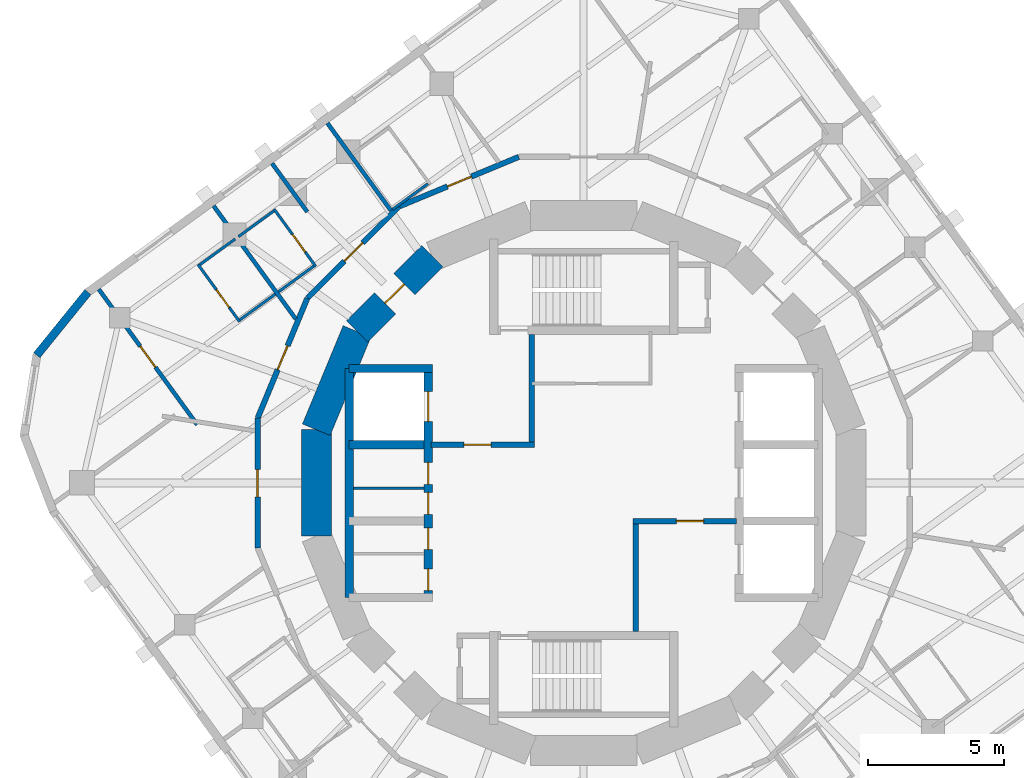
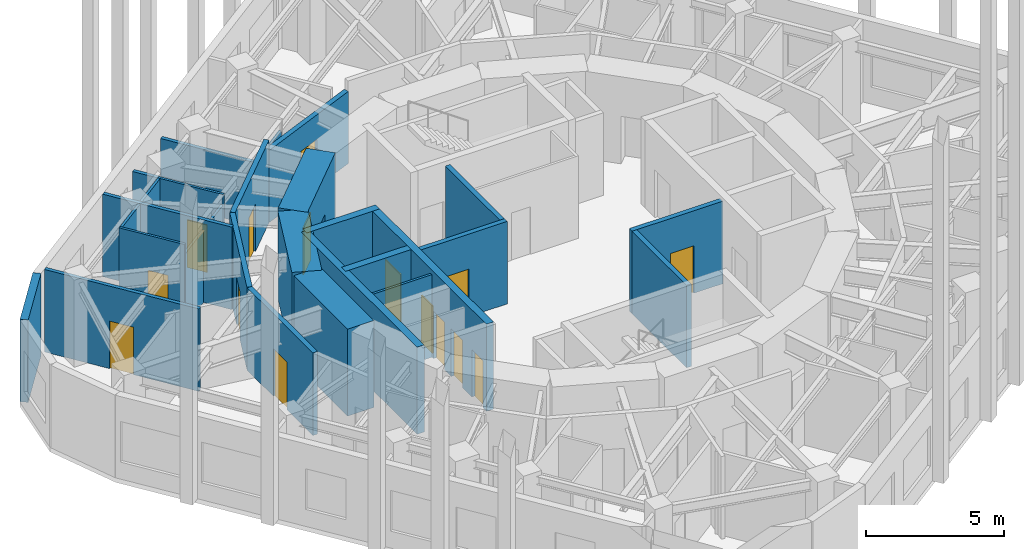
# One storey, part 5 of 9: 28 walls, 15 doors, 15 openings.
"""IFC4 building model written with IfcOpenShell, lengths in metres."""

import ifcopenshell
import ifcopenshell.guid

model = None  # the IFC model being written
_history = None  # IfcOwnerHistory: only IFC2X3 demands one
_inside = {}  # id of a spatial element -> (the spatial element, [elements in it])
_under = {}  # id of a project, library or spatial element -> (it, [spatial elements below it])
_declared = {}  # id of a project -> (the project, [libraries it declares])
_typed = {}  # id of a type object -> (the type object, [elements of that type])
_made_of = {}  # id of a material, layer set ... -> (it, [elements and type objects made of it])


def new_model(schema):
    """Start an empty IFC model of exactly this schema.

    Asked for "IFC4X3", IfcOpenShell would pick the latest addendum, in which some entities
    have other attributes; the version numbers below select the first issue.
    IFC2X3 requires an IfcOwnerHistory on every rooted entity: one is made here for all.
    """
    global model, _history
    if schema == "IFC4X3":
        model = ifcopenshell.file(schema_version=(4, 3, 0, 0))
    else:
        model = ifcopenshell.file(schema=schema)
    _inside.clear()
    _under.clear()
    _declared.clear()
    _typed.clear()
    _made_of.clear()
    _history = None
    if model.schema == "IFC2X3":
        org = make("IfcOrganization", Name="unknown")
        user = make(
            "IfcPersonAndOrganization",
            ThePerson=make("IfcPerson", FamilyName="unknown"),
            TheOrganization=org,
        )
        app = make(
            "IfcApplication",
            ApplicationDeveloper=org,
            Version="unknown",
            ApplicationFullName="unknown",
            ApplicationIdentifier="unknown",
        )
        _history = make(
            "IfcOwnerHistory",
            OwningUser=user,
            OwningApplication=app,
            ChangeAction="ADDED",
            CreationDate=0,
        )
    return model


def make(cls, **values):
    """One entity of the class cls with the attributes given. An attribute that is None is left unset."""
    return model.create_entity(
        cls, **{name: value for name, value in values.items() if value is not None}
    )


def rooted(cls, **values):
    """An entity with a GlobalId (a new one), such as an element, a storey or a relation."""
    return make(cls, GlobalId=ifcopenshell.guid.new(), OwnerHistory=_history, **values)


def si_unit(unit_type, name, prefix=None):
    """IfcSIUnit, for example si_unit("LENGTHUNIT", "METRE", prefix="MILLI")."""
    return make("IfcSIUnit", UnitType=unit_type, Prefix=prefix, Name=name)


def assignment(units):
    """IfcUnitAssignment: the units of a project."""
    return None if units is None else make("IfcUnitAssignment", Units=units)


def point(xyz):
    """IfcCartesianPoint."""
    return None if xyz is None else make("IfcCartesianPoint", Coordinates=xyz)


def direction(xyz):
    """IfcDirection."""
    return None if xyz is None else make("IfcDirection", DirectionRatios=xyz)


def frame(location, z_axis=None, x_axis=None):
    """IfcAxis2Placement3D, a coordinate frame: its origin and axes. An axis left out is left unset."""
    return make(
        "IfcAxis2Placement3D",
        Location=point(location),
        Axis=direction(z_axis),
        RefDirection=direction(x_axis),
    )


def frame_2d(location, x_axis=None):
    """IfcAxis2Placement2D, a coordinate frame in the plane: its origin and x axis."""
    return make(
        "IfcAxis2Placement2D", Location=point(location), RefDirection=direction(x_axis)
    )


def origin():
    """The frame at (0, 0, 0) with its axes left unset."""
    return frame((0.0, 0.0, 0.0))


def place(relative_to, where):
    """IfcLocalPlacement: puts the frame where relative to a parent placement (None: the world)."""
    return make(
        "IfcLocalPlacement", PlacementRelTo=relative_to, RelativePlacement=where
    )


def context(
    kind, dimensions, precision=None, world=None, true_north=None, identifier=None
):
    """IfcGeometricRepresentationContext, for example the 3D "Model" context."""
    return make(
        "IfcGeometricRepresentationContext",
        ContextIdentifier=identifier,
        ContextType=kind,
        CoordinateSpaceDimension=dimensions,
        Precision=precision,
        WorldCoordinateSystem=world,
        TrueNorth=true_north,
    )


def subcontext(parent, identifier, kind, view, scale=None):
    """IfcGeometricRepresentationSubContext, for example "Body" below "Model"."""
    return make(
        "IfcGeometricRepresentationSubContext",
        ContextIdentifier=identifier,
        ContextType=kind,
        ParentContext=parent,
        TargetScale=scale,
        TargetView=view,
    )


def project(units=None, contexts=None):
    """IfcProject with its units and contexts."""
    return rooted(
        "IfcProject",
        Name="project",
        RepresentationContexts=contexts,
        UnitsInContext=assignment(units),
    )


def spatial(cls, under=None, at=None, **own):
    """A site, building, storey or space (cls), placed at a placement, below another one or the project."""
    s = rooted(cls, ObjectPlacement=at, **own)
    if under is not None:
        _under.setdefault(under.id(), (under, []))[1].append(s)
    return s


def profile(cls, at=None, kind="AREA", **sizes):
    """A parametric profile (cls). Its sizes go by their IFC names, for example OverallWidth=200.0."""
    return make(cls, ProfileType=kind, Position=at, **sizes)


def rectangle(**sizes):
    """IfcRectangleProfileDef."""
    return profile("IfcRectangleProfileDef", **sizes)


def extrude(swept, where, along, depth):
    """IfcExtrudedAreaSolid: the profile swept, set in the frame where, extruded along a direction by depth."""
    return make(
        "IfcExtrudedAreaSolid",
        SweptArea=swept,
        Position=where,
        ExtrudedDirection=direction(along),
        Depth=depth,
    )


def shape(context_of_items, identifier, shape_type, items):
    """IfcShapeRepresentation: the items that make up one representation, for example the "Body"."""
    return make(
        "IfcShapeRepresentation",
        ContextOfItems=context_of_items,
        RepresentationIdentifier=identifier,
        RepresentationType=shape_type,
        Items=items,
    )


def material(Name=None, Category=None):
    """IfcMaterial."""
    return make("IfcMaterial", Name=Name, Category=Category)


def layer(
    of_material, thickness, ventilated=None, Name=None, Category=None, Priority=None
):
    """IfcMaterialLayer: one layer of a wall or slab, of a material (None: an air gap)."""
    return make(
        "IfcMaterialLayer",
        Material=of_material,
        LayerThickness=thickness,
        IsVentilated=ventilated,
        Name=Name,
        Category=Category,
        Priority=Priority,
    )


def layer_set(layers, Name=None):
    """IfcMaterialLayerSet."""
    return make("IfcMaterialLayerSet", MaterialLayers=layers, LayerSetName=Name)


def made_of(thing, what):
    """Note that an element or type object is made of a material, layer set ...; save() writes the relation."""
    if what is not None:
        _made_of.setdefault(what.id(), (what, []))[1].append(thing)
    return thing


def type_object(cls, material=None, **own):
    """A type object (cls), such as IfcWallType, which elements share."""
    return made_of(rooted(cls, **own), material)


def element(
    cls,
    number,
    at=None,
    inside=None,
    cuts=None,
    type_object=None,
    material=None,
    context=None,
    identifier="Body",
    shape_type=None,
    held_by="IfcProductDefinitionShape",
    body=None,
    shapes=None,
    **own,
):
    """One element of the class cls, such as IfcWall. Its Tag is "e" and its number.

    at: its placement. inside: the storey or other place that contains it. cuts: it is an
    opening in that element (IfcRelVoidsElement). A single representation is given by context,
    identifier, shape_type and body (its items); several are given by shapes. held_by: the class
    of the entity that holds the representations. save() writes the other relations.
    """
    e = rooted(cls, Tag="e%d" % number, ObjectPlacement=at, **own)
    if body is not None:
        shapes = [shape(context, identifier, shape_type, body)]
    if shapes is not None:
        e.Representation = make(held_by, Representations=shapes)
    if inside is not None:
        _inside.setdefault(inside.id(), (inside, []))[1].append(e)
    if cuts is not None:
        rooted(
            "IfcRelVoidsElement", RelatingBuildingElement=cuts, RelatedOpeningElement=e
        )
    if type_object is not None:
        _typed.setdefault(type_object.id(), (type_object, []))[1].append(e)
    return made_of(e, material)


def fill(opening, filler):
    """IfcRelFillsElement: the door or window that sits in an opening."""
    return rooted(
        "IfcRelFillsElement",
        RelatingOpeningElement=opening,
        RelatedBuildingElement=filler,
    )


def aggregate(whole, parts):
    """IfcRelAggregates: a whole, such as a stair, and the parts it consists of."""
    return rooted("IfcRelAggregates", RelatingObject=whole, RelatedObjects=parts)


def save(model, path):
    """Write the relations noted so far, then the file.

    IfcRelAggregates (storeys below a building ...), IfcRelContainedInSpatialStructure (elements
    in a storey), IfcRelDefinesByType, IfcRelAssociatesMaterial and IfcRelDeclares: one each for
    every whole, place, type object, material and project.
    """
    for whole, parts in _under.values():
        aggregate(whole, parts)
    for where, things in _inside.values():
        rooted(
            "IfcRelContainedInSpatialStructure",
            RelatedElements=things,
            RelatingStructure=where,
        )
    for kind, things in _typed.values():
        rooted("IfcRelDefinesByType", RelatedObjects=things, RelatingType=kind)
    for what, things in _made_of.values():
        rooted("IfcRelAssociatesMaterial", RelatedObjects=things, RelatingMaterial=what)
    for by, libraries in _declared.values():
        rooted("IfcRelDeclares", RelatingContext=by, RelatedDefinitions=libraries)
    model.write(path)


model = new_model("IFC4")

# Units and contexts
model_context = context("Model", 3, precision=1e-05, world=origin(), true_north=direction((0.0, 1.0)))
body_context = subcontext(model_context, "Body", "Model", "MODEL_VIEW")
ifc_project = project(units=[si_unit("LENGTHUNIT", "METRE"), si_unit("AREAUNIT", "SQUARE_METRE"), si_unit("VOLUMEUNIT", "CUBIC_METRE"), si_unit("PLANEANGLEUNIT", "RADIAN"), si_unit("MASSUNIT", "GRAM", prefix="KILO")], contexts=[model_context])

# Site, building, storey
site_placement = place(None, origin())
site = spatial("IfcSite", under=ifc_project, at=site_placement, CompositionType="ELEMENT")
building_placement = place(site_placement, origin())
building = spatial("IfcBuilding", under=site, at=building_placement, Name="Nakasero Lantern House", CompositionType="ELEMENT")
storey_placement = place(building_placement, frame((0.0, 0.0, 263.75)))
storey = spatial("IfcBuildingStorey", under=building, at=storey_placement, Name="L64", CompositionType="ELEMENT", Elevation=263.75)

# Wall, openings, doors
ifc_material_1 = material(Name="Concrete C50/60", Category="concrete")
ifc_layer_1 = layer(ifc_material_1, 0.300048828125)
ifc_layer_set_1 = layer_set([ifc_layer_1], Name="Core inner wall 300")
wall_type_1 = type_object("IfcWallType", Name="Core inner wall 300", PredefinedType="SHEAR", material=ifc_layer_set_1)
wall_1_placement = place(storey_placement, frame((-5.699951171875, -4.199951171875, 0.0), z_axis=(0.0, 0.0, 1.0), x_axis=(0.0, 1.0, 0.0)))
wall_1 = element("IfcWall", 1, at=wall_1_placement, inside=storey, type_object=wall_type_1, Name="Core inner wall L64 LW", PredefinedType="SHEAR", context=body_context, shape_type="SweptSolid", body=[
    extrude(rectangle(XDim=8.39990234375, YDim=0.300048828125, at=frame_2d((4.199951171875, 0.0))), origin(), (0.0, 0.0, 1.0), 3.85009765625),
])
opening_1_placement = place(wall_1_placement, frame((0.25, 0.0, 0.0)))
opening_1 = element("IfcOpeningElement", 2, at=opening_1_placement, cuts=wall_1, Name="Opening D19", PredefinedType="OPENING", context=body_context, shape_type="SweptSolid", body=[
    extrude(rectangle(XDim=0.800048828125, YDim=2.10009765625, at=frame_2d((0.39990234375, 1.050048828125))), frame((0.0, 0.169921875, 0.0), z_axis=(0.0, -1.0, 0.0), x_axis=(1.0, 0.0, 0.0)), (0.0, 0.0, 1.0), 0.340087890625),
])
opening_2_placement = place(wall_1_placement, frame((1.75, 0.0, 0.0)))
opening_2 = element("IfcOpeningElement", 3, at=opening_2_placement, cuts=wall_1, Name="Opening D15", PredefinedType="OPENING", context=body_context, shape_type="SweptSolid", body=[
    extrude(rectangle(XDim=0.800048828125, YDim=2.10009765625, at=frame_2d((0.39990234375, 1.050048828125))), frame((0.0, 0.169921875, 0.0), z_axis=(0.0, -1.0, 0.0), x_axis=(1.0, 0.0, 0.0)), (0.0, 0.0, 1.0), 0.340087890625),
])
opening_3_placement = place(wall_1_placement, frame((3.050048828125, 0.0, 0.0)))
opening_3 = element("IfcOpeningElement", 4, at=opening_3_placement, cuts=wall_1, Name="Opening D15", PredefinedType="OPENING", context=body_context, shape_type="SweptSolid", body=[
    extrude(rectangle(XDim=0.800048828125, YDim=2.10009765625, at=frame_2d((0.39990234375, 1.050048828125))), frame((0.0, 0.169921875, 0.0), z_axis=(0.0, -1.0, 0.0), x_axis=(1.0, 0.0, 0.0)), (0.0, 0.0, 1.0), 0.340087890625),
])
opening_4_placement = place(wall_1_placement, frame((4.14990234375, 0.0, 0.0)))
opening_4 = element("IfcOpeningElement", 5, at=opening_4_placement, cuts=wall_1, Name="Opening D15", PredefinedType="OPENING", context=body_context, shape_type="SweptSolid", body=[
    extrude(rectangle(XDim=0.800048828125, YDim=2.10009765625, at=frame_2d((0.39990234375, 1.050048828125))), frame((0.0, 0.169921875, 0.0), z_axis=(0.0, -1.0, 0.0), x_axis=(1.0, 0.0, 0.0)), (0.0, 0.0, 1.0), 0.340087890625),
])
opening_5_placement = place(wall_1_placement, frame((6.449951171875, 0.0, 0.0)))
opening_5 = element("IfcOpeningElement", 6, at=opening_5_placement, cuts=wall_1, Name="Opening LD", PredefinedType="OPENING", context=body_context, shape_type="SweptSolid", body=[
    extrude(rectangle(XDim=1.10009765625, YDim=2.10009765625, at=frame_2d((0.550048828125, 1.050048828125))), frame((0.0, 0.169921875, 0.0), z_axis=(0.0, -1.0, 0.0), x_axis=(1.0, 0.0, 0.0)), (0.0, 0.0, 1.0), 0.340087890625),
])
ifc_material_2 = material(Name="Timber C24", Category="wood")
door_type_1 = type_object("IfcDoorType", Name="Cleaner's store door FD30S 800", OperationType="SINGLE_SWING_LEFT", PredefinedType="DOOR", material=ifc_material_2)
door_1_placement = place(opening_2_placement, origin())
door_1 = element("IfcDoor", 7, at=door_1_placement, inside=storey, type_object=door_type_1, Name="Door L64 D-SH-LW1b", OperationType="SINGLE_SWING_LEFT", OverallHeight=2.10009765625, OverallWidth=0.800048828125, PredefinedType="DOOR", context=body_context, shape_type="SweptSolid", body=[
    extrude(rectangle(XDim=0.800048828125, YDim=2.10009765625, at=frame_2d((0.39990234375, 1.050048828125))), frame((0.0, 0.02490234375, 0.0), z_axis=(0.0, -1.0, 0.0), x_axis=(1.0, 0.0, 0.0)), (0.0, 0.0, 1.0), 0.050048828125),
])
fill(opening_2, door_1)
door_2_placement = place(opening_3_placement, origin())
door_2 = element("IfcDoor", 8, at=door_2_placement, inside=storey, type_object=door_type_1, Name="Door L64 D-SH-LW2a", OperationType="SINGLE_SWING_LEFT", OverallHeight=2.10009765625, OverallWidth=0.800048828125, PredefinedType="DOOR", context=body_context, shape_type="SweptSolid", body=[
    extrude(rectangle(XDim=0.800048828125, YDim=2.10009765625, at=frame_2d((0.39990234375, 1.050048828125))), frame((0.0, 0.02490234375, 0.0), z_axis=(0.0, -1.0, 0.0), x_axis=(1.0, 0.0, 0.0)), (0.0, 0.0, 1.0), 0.050048828125),
])
fill(opening_3, door_2)
door_3_placement = place(opening_4_placement, origin())
door_3 = element("IfcDoor", 9, at=door_3_placement, inside=storey, type_object=door_type_1, Name="Door L64 D-SH-LW2b", OperationType="SINGLE_SWING_RIGHT", OverallHeight=2.10009765625, OverallWidth=0.800048828125, PredefinedType="DOOR", context=body_context, shape_type="SweptSolid", body=[
    extrude(rectangle(XDim=0.800048828125, YDim=2.10009765625, at=frame_2d((0.39990234375, 1.050048828125))), frame((0.0, 0.02490234375, 0.0), z_axis=(0.0, -1.0, 0.0), x_axis=(1.0, 0.0, 0.0)), (0.0, 0.0, 1.0), 0.050048828125),
])
fill(opening_4, door_3)
ifc_material_3 = material(Name="Steel S355", Category="steel")
door_type_2 = type_object("IfcDoorType", Name="Lift landing door E120 1100", OperationType="SLIDING_TO_LEFT", PredefinedType="DOOR", material=ifc_material_3)
door_4_placement = place(opening_5_placement, origin())
door_4 = element("IfcDoor", 10, at=door_4_placement, inside=storey, type_object=door_type_2, Name="Lift landing door LW3", OperationType="SLIDING_TO_LEFT", OverallHeight=2.10009765625, OverallWidth=1.10009765625, PredefinedType="DOOR", context=body_context, shape_type="SweptSolid", body=[
    extrude(rectangle(XDim=1.10009765625, YDim=2.10009765625, at=frame_2d((0.550048828125, 1.050048828125))), frame((0.0, 0.02490234375, 0.0), z_axis=(0.0, -1.0, 0.0), x_axis=(1.0, 0.0, 0.0)), (0.0, 0.0, 1.0), 0.050048828125),
])
fill(opening_5, door_4)
ifc_material_4 = material(Name="Steel S355", Category="steel")
door_type_3 = type_object("IfcDoorType", Name="Plant room door FD60 800", OperationType="SINGLE_SWING_LEFT", PredefinedType="DOOR", material=ifc_material_4)
door_5_placement = place(opening_1_placement, origin())
door_5 = element("IfcDoor", 11, at=door_5_placement, inside=storey, type_object=door_type_3, Name="Door L64 D-SH-LW1a", OperationType="SINGLE_SWING_LEFT", OverallHeight=2.10009765625, OverallWidth=0.800048828125, PredefinedType="DOOR", context=body_context, shape_type="SweptSolid", body=[
    extrude(rectangle(XDim=0.800048828125, YDim=2.10009765625, at=frame_2d((0.39990234375, 1.050048828125))), frame((0.0, 0.02490234375, 0.0), z_axis=(0.0, -1.0, 0.0), x_axis=(1.0, 0.0, 0.0)), (0.0, 0.0, 1.0), 0.050048828125),
])
fill(opening_1, door_5)

# Walls
wall_2_placement = place(storey_placement, frame((-8.60009765625, 4.199951171875, 0.0), z_axis=(0.0, 0.0, 1.0), x_axis=(1.0, 0.0, 0.0)))
element("IfcWall", 12, at=wall_2_placement, inside=storey, type_object=wall_type_1, Name="Core inner wall L64 LWN", PredefinedType="SHEAR", context=body_context, shape_type="SweptSolid", body=[
    extrude(rectangle(XDim=3.050048828125, YDim=0.300048828125, at=frame_2d((1.52490234375, 0.0))), origin(), (0.0, 0.0, 1.0), 3.85009765625),
])
wall_3_placement = place(storey_placement, frame((-8.60009765625, -4.199951171875, 0.0), z_axis=(0.0, 0.0, 1.0), x_axis=(0.0, 1.0, 0.0)))
element("IfcWall", 13, at=wall_3_placement, inside=storey, type_object=wall_type_1, Name="Core inner wall L64 LWB", PredefinedType="SHEAR", context=body_context, shape_type="SweptSolid", body=[
    extrude(rectangle(XDim=8.39990234375, YDim=0.300048828125, at=frame_2d((4.199951171875, 0.0))), origin(), (0.0, 0.0, 1.0), 3.85009765625),
])
wall_4_placement = place(storey_placement, frame((-8.60009765625, 1.39990234375, 0.0), z_axis=(0.0, 0.0, 1.0), x_axis=(1.0, 0.0, 0.0)))
element("IfcWall", 14, at=wall_4_placement, inside=storey, type_object=wall_type_1, Name="Core inner wall L64 LW2", PredefinedType="SHEAR", context=body_context, shape_type="SweptSolid", body=[
    extrude(rectangle(XDim=2.75, YDim=0.300048828125, at=frame_2d((1.375, 0.0))), origin(), (0.0, 0.0, 1.0), 3.85009765625),
])
ifc_material_5 = material(Name="Blockwork", Category="masonry")
ifc_layer_2 = layer(ifc_material_5, 0.10009765625)
ifc_layer_set_2 = layer_set([ifc_layer_2], Name="Core room wall 100")
wall_type_2 = type_object("IfcWallType", Name="Core room wall 100", PredefinedType="PARTITIONING", material=ifc_layer_set_2)
wall_5_placement = place(storey_placement, frame((-8.449951171875, -0.199951171875, 0.0), z_axis=(0.0, 0.0, 1.0), x_axis=(1.0, 0.0, 0.0)))
element("IfcWall", 15, at=wall_5_placement, inside=storey, type_object=wall_type_2, Name="Core room wall L64 CR-SH-LW2b", PredefinedType="PARTITIONING", context=body_context, shape_type="SweptSolid", body=[
    extrude(rectangle(XDim=2.599853515625, YDim=0.10009765625, at=frame_2d((1.2998046875, 0.0))), origin(), (0.0, 0.0, 1.0), 3.64990234375),
])

# Wall, opening, door
ifc_material_6 = material(Name="Concrete C50/60", Category="concrete")
ifc_layer_3 = layer(ifc_material_6, 1.10009765625)
ifc_layer_set_3 = layer_set([ifc_layer_3], Name="Core wall 1100")
wall_type_3 = type_object("IfcWallType", Name="Core wall 1100", PredefinedType="SHEAR", material=ifc_layer_set_3)
wall_6_placement = place(storey_placement, frame((-5.5556640625, 8.314697265625, 0.0), z_axis=(0.0, 0.0, 1.0), x_axis=(-0.707106781187, -0.707106781187, 0.0)))
wall_6 = element("IfcWall", 16, at=wall_6_placement, inside=storey, type_object=wall_type_3, Name="Core wall L64 facet 6", PredefinedType="SHEAR", context=body_context, shape_type="SweptSolid", body=[
    extrude(rectangle(XDim=3.90185546875, YDim=1.10009765625, at=frame_2d((1.950927734375, 0.0))), origin(), (0.0, 0.0, 1.0), 3.85009765625),
])
opening_6_placement = place(wall_6_placement, frame((1.450927734375, 0.0, 0.0)))
opening_6 = element("IfcOpeningElement", 17, at=opening_6_placement, cuts=wall_6, Name="Opening D05", PredefinedType="OPENING", context=body_context, shape_type="SweptSolid", body=[
    extrude(rectangle(XDim=1.0, YDim=2.10009765625, at=frame_2d((0.5, 1.050048828125))), frame((0.0, 0.570068359375, 0.0), z_axis=(0.0, -1.0, 0.0), x_axis=(1.0, 0.0, 0.0)), (0.0, 0.0, 1.0), 1.14013671875),
])
ifc_material_7 = material(Name="Timber C24", Category="wood")
door_type_4 = type_object("IfcDoorType", Name="Core door FD60S 1000", OperationType="SINGLE_SWING_LEFT", PredefinedType="DOOR", material=ifc_material_7)
door_6_placement = place(opening_6_placement, origin())
door_6 = element("IfcDoor", 18, at=door_6_placement, inside=storey, type_object=door_type_4, Name="Door L64 D-CORE06", OperationType="SINGLE_SWING_LEFT", OverallHeight=2.10009765625, OverallWidth=1.0, PredefinedType="DOOR", context=body_context, shape_type="SweptSolid", body=[
    extrude(rectangle(XDim=1.0, YDim=2.10009765625, at=frame_2d((0.5, 1.050048828125))), frame((0.0, 0.02490234375, 0.0), z_axis=(0.0, -1.0, 0.0), x_axis=(1.0, 0.0, 0.0)), (0.0, 0.0, 1.0), 0.050048828125),
])
fill(opening_6, door_6)

# Walls
for number, where, z_axis, x_axis, name in (
    (19, (-8.314697265625, 5.5556640625, 0.0), (0.0, 0.0, 1.0), (-0.382690736062, -0.923876507187, 0.0), "Core wall L64 facet 7"),
    (20, (-9.807861328125, 1.950927734375, 0.0), (0.0, 0.0, 1.0), (0.0, -1.0, 0.0), "Core wall L64 facet 8"),
):
    element("IfcWall", number, at=place(storey_placement, frame(where, z_axis=z_axis, x_axis=x_axis)), inside=storey, type_object=wall_type_3, Name=name, PredefinedType="SHEAR", context=body_context, shape_type="SweptSolid", body=[
        extrude(rectangle(XDim=3.90185546875, YDim=1.10009765625, at=frame_2d((1.950927734375, 0.0))), origin(), (0.0, 0.0, 1.0), 3.85009765625),
    ])

# Wall, opening, door
ifc_material_8 = material(Name="Blockwork", Category="masonry")
ifc_layer_4 = layer(ifc_material_8, 0.199951171875)
ifc_layer_set_4 = layer_set([ifc_layer_4], Name="Corridor wall 200")
wall_type_4 = type_object("IfcWallType", Name="Corridor wall 200", PredefinedType="PARTITIONING", material=ifc_layer_set_4)
wall_7_placement = place(storey_placement, frame((-11.957763671875, -2.378662109375, 0.0), z_axis=(0.0, 0.0, 1.0), x_axis=(0.0, 1.0, 0.0)))
wall_7 = element("IfcWall", 21, at=wall_7_placement, inside=storey, type_object=wall_type_4, Name="Corridor wall L64 RC08a", PredefinedType="PARTITIONING", context=body_context, shape_type="SweptSolid", body=[
    extrude(rectangle(XDim=4.75732421875, YDim=0.199951171875, at=frame_2d((2.378662109375, 0.0))), origin(), (0.0, 0.0, 1.0), 3.64990234375),
])
opening_7_placement = place(wall_7_placement, frame((1.8701171875, 0.0, 0.0)))
opening_7 = element("IfcOpeningElement", 22, at=opening_7_placement, cuts=wall_7, Name="Opening D03", PredefinedType="OPENING", context=body_context, shape_type="SweptSolid", body=[
    extrude(rectangle(XDim=1.0, YDim=2.10009765625, at=frame_2d((0.5, 1.050048828125))), frame((0.0, 0.119873046875, 0.0), z_axis=(0.0, -1.0, 0.0), x_axis=(1.0, 0.0, 0.0)), (0.0, 0.0, 1.0), 0.239990234375),
])
ifc_material_9 = material(Name="Timber C24", Category="wood")
door_type_5 = type_object("IfcDoorType", Name="Lounge door FD30S 1000", OperationType="SINGLE_SWING_LEFT", PredefinedType="DOOR", material=ifc_material_9)
door_7_placement = place(opening_7_placement, origin())
door_7 = element("IfcDoor", 23, at=door_7_placement, inside=storey, type_object=door_type_5, Name="Door L64 DK2", OperationType="SINGLE_SWING_LEFT", OverallHeight=2.10009765625, OverallWidth=1.0, PredefinedType="DOOR", context=body_context, shape_type="SweptSolid", body=[
    extrude(rectangle(XDim=1.0, YDim=2.10009765625, at=frame_2d((0.5, 1.050048828125))), frame((0.0, 0.02490234375, 0.0), z_axis=(0.0, -1.0, 0.0), x_axis=(1.0, 0.0, 0.0)), (0.0, 0.0, 1.0), 0.050048828125),
])
fill(opening_7, door_7)

wall_8_placement = place(storey_placement, frame((-11.957763671875, 2.378662109375, 0.0), z_axis=(0.0, 0.0, 1.0), x_axis=(0.382653970627, 0.923891735412, 0.0)))
wall_8 = element("IfcWall", 24, at=wall_8_placement, inside=storey, type_object=wall_type_4, Name="Corridor wall L64 RC09a", PredefinedType="PARTITIONING", context=body_context, shape_type="SweptSolid", body=[
    extrude(rectangle(XDim=4.757080078125, YDim=0.199951171875, at=frame_2d((2.37841796875, 0.0))), origin(), (0.0, 0.0, 1.0), 3.64990234375),
])
opening_8_placement = place(wall_8_placement, frame((1.919921875, 0.0, 0.0)))
opening_8 = element("IfcOpeningElement", 25, at=opening_8_placement, cuts=wall_8, Name="Opening D01", PredefinedType="OPENING", context=body_context, shape_type="SweptSolid", body=[
    extrude(rectangle(XDim=0.949951171875, YDim=2.10009765625, at=frame_2d((0.47509765625, 1.050048828125))), frame((0.0, 0.119873046875, 0.0), z_axis=(0.0, -1.0, 0.0), x_axis=(1.0, 0.0, 0.0)), (0.0, 0.0, 1.0), 0.239990234375),
])
ifc_material_10 = material(Name="Timber C24", Category="wood")
door_type_6 = type_object("IfcDoorType", Name="Bedroom door FD30S 950", OperationType="SINGLE_SWING_LEFT", PredefinedType="DOOR", material=ifc_material_10)
door_8_placement = place(opening_8_placement, origin())
door_8 = element("IfcDoor", 26, at=door_8_placement, inside=storey, type_object=door_type_6, Name="Door L64 D1-06", OperationType="SINGLE_SWING_RIGHT", OverallHeight=2.10009765625, OverallWidth=0.949951171875, PredefinedType="DOOR", context=body_context, shape_type="SweptSolid", body=[
    extrude(rectangle(XDim=0.949951171875, YDim=2.10009765625, at=frame_2d((0.47509765625, 1.050048828125))), frame((0.0, 0.02490234375, 0.0), z_axis=(0.0, -1.0, 0.0), x_axis=(1.0, 0.0, 0.0)), (0.0, 0.0, 1.0), 0.050048828125),
])
fill(opening_8, door_8)

wall_9_placement = place(storey_placement, frame((-10.137451171875, 6.773681640625, 0.0), z_axis=(0.0, 0.0, 1.0), x_axis=(0.707106781187, 0.707106781187, 0.0)))
wall_9 = element("IfcWall", 27, at=wall_9_placement, inside=storey, type_object=wall_type_4, Name="Corridor wall L64 RC10a", PredefinedType="PARTITIONING", context=body_context, shape_type="SweptSolid", body=[
    extrude(rectangle(XDim=4.757080078125, YDim=0.199951171875, at=frame_2d((2.37841796875, 0.0))), origin(), (0.0, 0.0, 1.0), 3.64990234375),
])
opening_9_placement = place(wall_9_placement, frame((1.919921875, 0.0, 0.0)))
opening_9 = element("IfcOpeningElement", 28, at=opening_9_placement, cuts=wall_9, Name="Opening D01", PredefinedType="OPENING", context=body_context, shape_type="SweptSolid", body=[
    extrude(rectangle(XDim=0.949951171875, YDim=2.10009765625, at=frame_2d((0.47509765625, 1.050048828125))), frame((0.0, 0.119873046875, 0.0), z_axis=(0.0, -1.0, 0.0), x_axis=(1.0, 0.0, 0.0)), (0.0, 0.0, 1.0), 0.239990234375),
])
door_9_placement = place(opening_9_placement, origin())
door_9 = element("IfcDoor", 29, at=door_9_placement, inside=storey, type_object=door_type_6, Name="Door L64 D1-04", OperationType="SINGLE_SWING_RIGHT", OverallHeight=2.10009765625, OverallWidth=0.949951171875, PredefinedType="DOOR", context=body_context, shape_type="SweptSolid", body=[
    extrude(rectangle(XDim=0.949951171875, YDim=2.10009765625, at=frame_2d((0.47509765625, 1.050048828125))), frame((0.0, 0.02490234375, 0.0), z_axis=(0.0, -1.0, 0.0), x_axis=(1.0, 0.0, 0.0)), (0.0, 0.0, 1.0), 0.050048828125),
])
fill(opening_9, door_9)

wall_10_placement = place(storey_placement, frame((-6.773681640625, 10.137451171875, 0.0), z_axis=(0.0, 0.0, 1.0), x_axis=(0.923891735412, 0.382653970627, 0.0)))
wall_10 = element("IfcWall", 30, at=wall_10_placement, inside=storey, type_object=wall_type_4, Name="Corridor wall L64 RC11a", PredefinedType="PARTITIONING", context=body_context, shape_type="SweptSolid", body=[
    extrude(rectangle(XDim=4.757080078125, YDim=0.199951171875, at=frame_2d((2.37841796875, 0.0))), origin(), (0.0, 0.0, 1.0), 3.18994140625),
])
opening_10_placement = place(wall_10_placement, frame((1.919921875, 0.0, 0.0)))
opening_10 = element("IfcOpeningElement", 31, at=opening_10_placement, cuts=wall_10, Name="Opening D01", PredefinedType="OPENING", context=body_context, shape_type="SweptSolid", body=[
    extrude(rectangle(XDim=0.949951171875, YDim=2.10009765625, at=frame_2d((0.47509765625, 1.050048828125))), frame((0.0, 0.119873046875, 0.0), z_axis=(0.0, -1.0, 0.0), x_axis=(1.0, 0.0, 0.0)), (0.0, 0.0, 1.0), 0.239990234375),
])
door_10_placement = place(opening_10_placement, origin())
door_10 = element("IfcDoor", 32, at=door_10_placement, inside=storey, type_object=door_type_6, Name="Door L64 D1-03", OperationType="SINGLE_SWING_RIGHT", OverallHeight=2.10009765625, OverallWidth=0.949951171875, PredefinedType="DOOR", context=body_context, shape_type="SweptSolid", body=[
    extrude(rectangle(XDim=0.949951171875, YDim=2.10009765625, at=frame_2d((0.47509765625, 1.050048828125))), frame((0.0, 0.02490234375, 0.0), z_axis=(0.0, -1.0, 0.0), x_axis=(1.0, 0.0, 0.0)), (0.0, 0.0, 1.0), 0.050048828125),
])
fill(opening_10, door_10)

# Wall
ifc_material_11 = material(Name="Blockwork", Category="masonry")
ifc_layer_5 = layer(ifc_material_11, 0.10009765625)
ifc_layer_set_5 = layer_set([ifc_layer_5], Name="En-suite wall 100")
wall_type_5 = type_object("IfcWallType", Name="En-suite wall 100", PredefinedType="PARTITIONING", material=ifc_layer_set_5)
wall_11_placement = place(storey_placement, frame((-5.713623046875, 10.9716796875, 0.0), z_axis=(0.0, 0.0, 1.0), x_axis=(-0.809026317077, -0.587772420479, 0.0)))
element("IfcWall", 33, at=wall_11_placement, inside=storey, type_object=wall_type_5, Name="En-suite wall L64 EI1-03", PredefinedType="PARTITIONING", context=body_context, shape_type="SweptSolid", body=[
    extrude(rectangle(XDim=1.60009765625, YDim=0.10009765625, at=frame_2d((0.800048828125, 0.0))), origin(), (0.0, 0.0, 1.0), 3.18994140625),
])

# Wall, opening, door
wall_12_placement = place(storey_placement, frame((-9.828125, 7.939453125, 0.0), z_axis=(0.0, 0.0, 1.0), x_axis=(-0.587791986546, 0.80901210161, 0.0)))
wall_12 = element("IfcWall", 34, at=wall_12_placement, inside=storey, type_object=wall_type_5, Name="En-suite wall L64 ES1-04", PredefinedType="PARTITIONING", context=body_context, shape_type="SweptSolid", body=[
    extrude(rectangle(XDim=2.60009765625, YDim=0.10009765625, at=frame_2d((1.300048828125, 0.0))), origin(), (0.0, 0.0, 1.0), 3.64990234375),
])
opening_11_placement = place(wall_12_placement, frame((0.64990234375, 0.0, 0.0)))
opening_11 = element("IfcOpeningElement", 35, at=opening_11_placement, cuts=wall_12, Name="Opening D02", PredefinedType="OPENING", context=body_context, shape_type="SweptSolid", body=[
    extrude(rectangle(XDim=0.800048828125, YDim=2.10009765625, at=frame_2d((0.39990234375, 1.050048828125))), frame((0.0, 0.070068359375, 0.0), z_axis=(0.0, -1.0, 0.0), x_axis=(1.0, 0.0, 0.0)), (0.0, 0.0, 1.0), 0.14013671875),
])
ifc_material_12 = material(Name="Timber C24", Category="wood")
door_type_7 = type_object("IfcDoorType", Name="En-suite door 800", OperationType="SINGLE_SWING_RIGHT", PredefinedType="DOOR", material=ifc_material_12)
door_11_placement = place(opening_11_placement, origin())
door_11 = element("IfcDoor", 36, at=door_11_placement, inside=storey, type_object=door_type_7, Name="Door L64 DE1-04", OperationType="SINGLE_SWING_LEFT", OverallHeight=2.10009765625, OverallWidth=0.800048828125, PredefinedType="DOOR", context=body_context, shape_type="SweptSolid", body=[
    extrude(rectangle(XDim=0.800048828125, YDim=2.10009765625, at=frame_2d((0.39990234375, 1.050048828125))), frame((0.0, 0.02490234375, 0.0), z_axis=(0.0, -1.0, 0.0), x_axis=(1.0, 0.0, 0.0)), (0.0, 0.0, 1.0), 0.050048828125),
])
fill(opening_11, door_11)

# Walls
wall_13_placement = place(storey_placement, frame((-11.367431640625, 9.97314453125, 0.0), z_axis=(0.0, 0.0, 1.0), x_axis=(-0.809026317077, -0.587772420479, 0.0)))
element("IfcWall", 37, at=wall_13_placement, inside=storey, type_object=wall_type_5, Name="En-suite wall L64 EE1-04", PredefinedType="PARTITIONING", context=body_context, shape_type="SweptSolid", body=[
    extrude(rectangle(XDim=1.60009765625, YDim=0.10009765625, at=frame_2d((0.800048828125, 0.0))), origin(), (0.0, 0.0, 1.0), 3.64990234375),
])
wall_14_placement = place(storey_placement, frame((-9.89794921875, 7.950439453125, 0.0), z_axis=(0.0, 0.0, 1.0), x_axis=(-0.809026317077, -0.587772420479, 0.0)))
element("IfcWall", 38, at=wall_14_placement, inside=storey, type_object=wall_type_5, Name="En-suite wall L64 EI1-04", PredefinedType="PARTITIONING", context=body_context, shape_type="SweptSolid", body=[
    extrude(rectangle(XDim=1.60009765625, YDim=0.10009765625, at=frame_2d((0.800048828125, 0.0))), origin(), (0.0, 0.0, 1.0), 3.18994140625),
])

# Wall, opening, door
wall_15_placement = place(storey_placement, frame((-12.619384765625, 5.91162109375, 0.0), z_axis=(0.0, 0.0, 1.0), x_axis=(-0.587730526155, 0.809056752413, 0.0)))
wall_15 = element("IfcWall", 39, at=wall_15_placement, inside=storey, type_object=wall_type_5, Name="En-suite wall L64 ES1-06", PredefinedType="PARTITIONING", context=body_context, shape_type="SweptSolid", body=[
    extrude(rectangle(XDim=2.599853515625, YDim=0.10009765625, at=frame_2d((1.2998046875, 0.0))), origin(), (0.0, 0.0, 1.0), 3.64990234375),
])
opening_12_placement = place(wall_15_placement, frame((0.64990234375, 0.0, 0.0)))
opening_12 = element("IfcOpeningElement", 40, at=opening_12_placement, cuts=wall_15, Name="Opening D02", PredefinedType="OPENING", context=body_context, shape_type="SweptSolid", body=[
    extrude(rectangle(XDim=0.800048828125, YDim=2.10009765625, at=frame_2d((0.39990234375, 1.050048828125))), frame((0.0, 0.070068359375, 0.0), z_axis=(0.0, -1.0, 0.0), x_axis=(1.0, 0.0, 0.0)), (0.0, 0.0, 1.0), 0.14013671875),
])
door_12_placement = place(opening_12_placement, origin())
door_12 = element("IfcDoor", 41, at=door_12_placement, inside=storey, type_object=door_type_7, Name="Door L64 DE1-06", OperationType="SINGLE_SWING_LEFT", OverallHeight=2.10009765625, OverallWidth=0.800048828125, PredefinedType="DOOR", context=body_context, shape_type="SweptSolid", body=[
    extrude(rectangle(XDim=0.800048828125, YDim=2.10009765625, at=frame_2d((0.39990234375, 1.050048828125))), frame((0.0, 0.02490234375, 0.0), z_axis=(0.0, -1.0, 0.0), x_axis=(1.0, 0.0, 0.0)), (0.0, 0.0, 1.0), 0.050048828125),
])
fill(opening_12, door_12)

# Walls
wall_16_placement = place(storey_placement, frame((-12.783203125, 8.9443359375, 0.0), z_axis=(0.0, 0.0, 1.0), x_axis=(-0.809026317077, -0.587772420479, 0.0)))
element("IfcWall", 42, at=wall_16_placement, inside=storey, type_object=wall_type_5, Name="En-suite wall L64 EE1-06", PredefinedType="PARTITIONING", context=body_context, shape_type="SweptSolid", body=[
    extrude(rectangle(XDim=1.60009765625, YDim=0.10009765625, at=frame_2d((0.800048828125, 0.0))), origin(), (0.0, 0.0, 1.0), 3.64990234375),
])
wall_17_placement = place(storey_placement, frame((-11.313720703125, 6.921875, 0.0), z_axis=(0.0, 0.0, 1.0), x_axis=(-0.809026317077, -0.587772420479, 0.0)))
element("IfcWall", 43, at=wall_17_placement, inside=storey, type_object=wall_type_5, Name="En-suite wall L64 EI1-06", PredefinedType="PARTITIONING", context=body_context, shape_type="SweptSolid", body=[
    extrude(rectangle(XDim=1.60009765625, YDim=0.10009765625, at=frame_2d((0.800048828125, 0.0))), origin(), (0.0, 0.0, 1.0), 3.18994140625),
])
ifc_material_13 = material(Name="Aluminium rainscreen on blockwork", Category="masonry")
ifc_layer_6 = layer(ifc_material_13, 0.300048828125)
ifc_layer_set_6 = layer_set([ifc_layer_6], Name="Facade wall 300")
wall_type_6 = type_object("IfcWallType", Name="Facade wall 300", PredefinedType="SOLIDWALL", material=ifc_layer_set_6)
wall_18_placement = place(storey_placement, frame((-18.185791015625, 6.996826171875, 0.0), z_axis=(0.0, 0.0, 1.0), x_axis=(-0.629375183362, -0.777101588319, 0.0)))
element("IfcWall", 44, at=wall_18_placement, inside=storey, type_object=wall_type_6, Name="Facade wall L64 FW1C1", PredefinedType="SOLIDWALL", context=body_context, shape_type="SweptSolid", body=[
    extrude(rectangle(XDim=2.976318359375, YDim=0.300048828125, at=frame_2d((1.48828125, 0.0))), origin(), (0.0, 0.0, 1.0), 3.64990234375),
])

# Wall, opening, door
ifc_material_14 = material(Name="Blockwork", Category="masonry")
ifc_layer_7 = layer(ifc_material_14, 0.199951171875)
ifc_layer_set_7 = layer_set([ifc_layer_7], Name="Fire lobby wall 200")
wall_type_7 = type_object("IfcWallType", Name="Fire lobby wall 200", PredefinedType="PARTITIONING", material=ifc_layer_set_7)
wall_19_placement = place(storey_placement, frame((-5.60009765625, 1.39990234375, 0.0), z_axis=(0.0, 0.0, 1.0), x_axis=(1.0, 0.0, 0.0)))
wall_19 = element("IfcWall", 45, at=wall_19_placement, inside=storey, type_object=wall_type_7, Name="Fire lobby wall L64 W-FL1S", PredefinedType="PARTITIONING", context=body_context, shape_type="SweptSolid", body=[
    extrude(rectangle(XDim=3.800048828125, YDim=0.199951171875, at=frame_2d((1.89990234375, 0.0))), origin(), (0.0, 0.0, 1.0), 3.64990234375),
])
opening_13_placement = place(wall_19_placement, frame((1.199951171875, 0.0, 0.0)))
opening_13 = element("IfcOpeningElement", 46, at=opening_13_placement, cuts=wall_19, Name="Opening D05", PredefinedType="OPENING", context=body_context, shape_type="SweptSolid", body=[
    extrude(rectangle(XDim=1.0, YDim=2.10009765625, at=frame_2d((0.5, 1.050048828125))), frame((0.0, 0.119873046875, 0.0), z_axis=(0.0, -1.0, 0.0), x_axis=(1.0, 0.0, 0.0)), (0.0, 0.0, 1.0), 0.239990234375),
])
door_13_placement = place(opening_13_placement, origin())
door_13 = element("IfcDoor", 47, at=door_13_placement, inside=storey, type_object=door_type_4, Name="Door L64 D-FL1", OperationType="SINGLE_SWING_LEFT", OverallHeight=2.10009765625, OverallWidth=1.0, PredefinedType="DOOR", context=body_context, shape_type="SweptSolid", body=[
    extrude(rectangle(XDim=1.0, YDim=2.10009765625, at=frame_2d((0.5, 1.050048828125))), frame((0.0, 0.02490234375, 0.0), z_axis=(0.0, -1.0, 0.0), x_axis=(1.0, 0.0, 0.0)), (0.0, 0.0, 1.0), 0.050048828125),
])
fill(opening_13, door_13)

# Wall
wall_20_placement = place(storey_placement, frame((-1.89990234375, 1.5, 0.0), z_axis=(0.0, 0.0, 1.0), x_axis=(0.0, 1.0, 0.0)))
element("IfcWall", 48, at=wall_20_placement, inside=storey, type_object=wall_type_7, Name="Fire lobby wall L64 W-FL1E", PredefinedType="PARTITIONING", context=body_context, shape_type="SweptSolid", body=[
    extrude(rectangle(XDim=3.949951171875, YDim=0.199951171875, at=frame_2d((1.97509765625, 0.0))), origin(), (0.0, 0.0, 1.0), 3.64990234375),
])

# Wall, opening, door
wall_21_placement = place(storey_placement, frame((5.60009765625, -1.39990234375, 0.0), z_axis=(0.0, 0.0, 1.0), x_axis=(-1.0, 0.0, 0.0)))
wall_21 = element("IfcWall", 49, at=wall_21_placement, inside=storey, type_object=wall_type_7, Name="Fire lobby wall L64 W-FL2N", PredefinedType="PARTITIONING", context=body_context, shape_type="SweptSolid", body=[
    extrude(rectangle(XDim=3.800048828125, YDim=0.199951171875, at=frame_2d((1.89990234375, 0.0))), origin(), (0.0, 0.0, 1.0), 3.64990234375),
])
opening_14_placement = place(wall_21_placement, frame((1.199951171875, 0.0, 0.0)))
opening_14 = element("IfcOpeningElement", 50, at=opening_14_placement, cuts=wall_21, Name="Opening D05", PredefinedType="OPENING", context=body_context, shape_type="SweptSolid", body=[
    extrude(rectangle(XDim=1.0, YDim=2.10009765625, at=frame_2d((0.5, 1.050048828125))), frame((0.0, 0.119873046875, 0.0), z_axis=(0.0, -1.0, 0.0), x_axis=(1.0, 0.0, 0.0)), (0.0, 0.0, 1.0), 0.239990234375),
])
door_14_placement = place(opening_14_placement, origin())
door_14 = element("IfcDoor", 51, at=door_14_placement, inside=storey, type_object=door_type_4, Name="Door L64 D-FL2", OperationType="SINGLE_SWING_LEFT", OverallHeight=2.10009765625, OverallWidth=1.0, PredefinedType="DOOR", context=body_context, shape_type="SweptSolid", body=[
    extrude(rectangle(XDim=1.0, YDim=2.10009765625, at=frame_2d((0.5, 1.050048828125))), frame((0.0, 0.02490234375, 0.0), z_axis=(0.0, -1.0, 0.0), x_axis=(1.0, 0.0, 0.0)), (0.0, 0.0, 1.0), 0.050048828125),
])
fill(opening_14, door_14)

# Walls
wall_22_placement = place(storey_placement, frame((1.89990234375, -1.5, 0.0), z_axis=(0.0, 0.0, 1.0), x_axis=(0.0, -1.0, 0.0)))
element("IfcWall", 52, at=wall_22_placement, inside=storey, type_object=wall_type_7, Name="Fire lobby wall L64 W-FL2W", PredefinedType="PARTITIONING", context=body_context, shape_type="SweptSolid", body=[
    extrude(rectangle(XDim=3.949951171875, YDim=0.199951171875, at=frame_2d((1.97509765625, 0.0))), origin(), (0.0, 0.0, 1.0), 3.64990234375),
])
ifc_material_15 = material(Name="Blockwork", Category="masonry")
ifc_layer_8 = layer(ifc_material_15, 0.14990234375)
ifc_layer_set_8 = layer_set([ifc_layer_8], Name="Party wall 150")
wall_type_8 = type_object("IfcWallType", Name="Party wall 150", PredefinedType="PARTITIONING", material=ifc_layer_set_8)
wall_23_placement = place(storey_placement, frame((-10.13818359375, 9.939208984375, 0.0), z_axis=(0.0, 0.0, 1.0), x_axis=(-0.587821928992, 0.808990345923, 0.0)))
element("IfcWall", 53, at=wall_23_placement, inside=storey, type_object=wall_type_8, Name="Party wall L64 PN1-05", PredefinedType="PARTITIONING", context=body_context, shape_type="SweptSolid", body=[
    extrude(rectangle(XDim=2.199951171875, YDim=0.14990234375, at=frame_2d((1.10009765625, 0.0))), origin(), (0.0, 0.0, 1.0), 2.95703125),
])
wall_24_placement = place(storey_placement, frame((-7.067138671875, 9.985107421875, 0.0), z_axis=(0.0, 0.0, 1.0), x_axis=(-0.587802119896, 0.809004739075, 0.0)))
element("IfcWall", 54, at=wall_24_placement, inside=storey, type_object=wall_type_8, Name="Party wall L64 PW1-04", PredefinedType="PARTITIONING", context=body_context, shape_type="SweptSolid", body=[
    extrude(rectangle(XDim=3.9677734375, YDim=0.14990234375, at=frame_2d((1.98388671875, 0.0))), origin(), (0.0, 0.0, 1.0), 2.809326171875),
])
wall_25_placement = place(storey_placement, frame((-10.560791015625, 6.012939453125, 0.0), z_axis=(0.0, 0.0, 1.0), x_axis=(-0.587780977736, 0.809020100005, 0.0)))
element("IfcWall", 55, at=wall_25_placement, inside=storey, type_object=wall_type_8, Name="Party wall L64 PW1-06", PredefinedType="PARTITIONING", context=body_context, shape_type="SweptSolid", body=[
    extrude(rectangle(XDim=5.1279296875, YDim=0.14990234375, at=frame_2d((2.56396484375, 0.0))), origin(), (0.0, 0.0, 1.0), 3.64990234375),
])

# Wall, opening, door
wall_26_placement = place(storey_placement, frame((-14.1767578125, 2.137939453125, 0.0), z_axis=(0.0, 0.0, 1.0), x_axis=(-0.587774266883, 0.809024975628, 0.0)))
wall_26 = element("IfcWall", 56, at=wall_26_placement, inside=storey, type_object=wall_type_8, Name="Party wall L64 PW1-07", PredefinedType="PARTITIONING", context=body_context, shape_type="SweptSolid", body=[
    extrude(rectangle(XDim=6.137451171875, YDim=0.14990234375, at=frame_2d((3.06884765625, 0.0))), origin(), (0.0, 0.0, 1.0), 3.64990234375),
])
opening_15_placement = place(wall_26_placement, frame((2.60009765625, 0.0, 0.0)))
opening_15 = element("IfcOpeningElement", 57, at=opening_15_placement, cuts=wall_26, Name="Opening D01", PredefinedType="OPENING", context=body_context, shape_type="SweptSolid", body=[
    extrude(rectangle(XDim=0.949951171875, YDim=2.10009765625, at=frame_2d((0.47509765625, 1.050048828125))), frame((0.0, 0.094970703125, 0.0), z_axis=(0.0, -1.0, 0.0), x_axis=(1.0, 0.0, 0.0)), (0.0, 0.0, 1.0), 0.18994140625),
])
door_15_placement = place(opening_15_placement, origin())
door_15 = element("IfcDoor", 58, at=door_15_placement, inside=storey, type_object=door_type_6, Name="Door L64 DC1", OperationType="SINGLE_SWING_RIGHT", OverallHeight=2.10009765625, OverallWidth=0.949951171875, PredefinedType="DOOR", context=body_context, shape_type="SweptSolid", body=[
    extrude(rectangle(XDim=0.949951171875, YDim=2.10009765625, at=frame_2d((0.47509765625, 1.050048828125))), frame((0.0, 0.02490234375, 0.0), z_axis=(0.0, -1.0, 0.0), x_axis=(1.0, 0.0, 0.0)), (0.0, 0.0, 1.0), 0.050048828125),
])
fill(opening_15, door_15)

save(model, "model.ifc")
